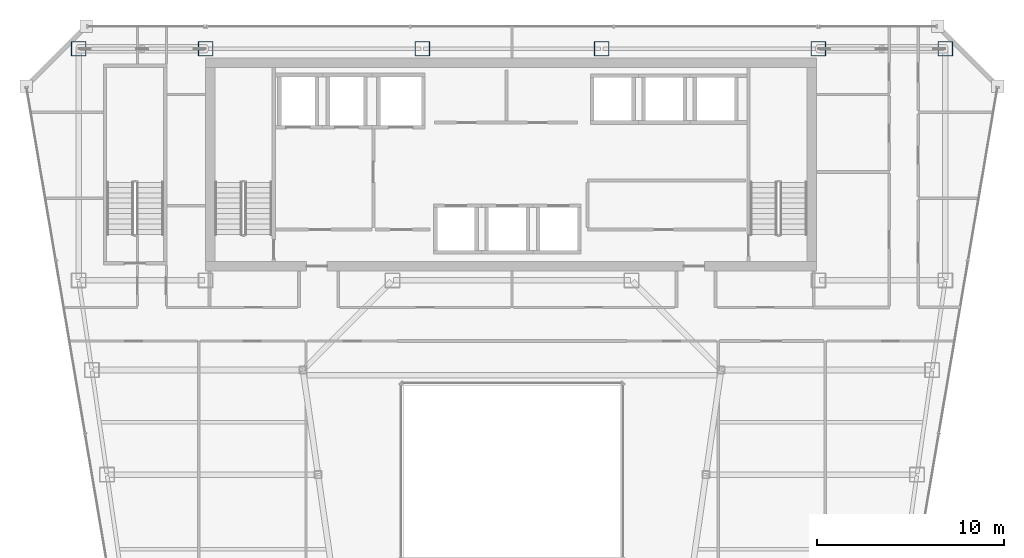
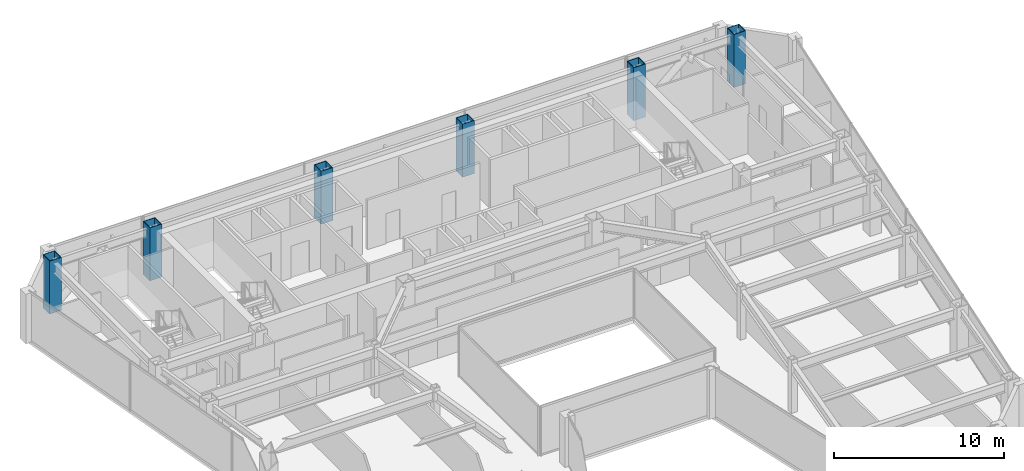
# One storey, part 2 of 36: 6 columns.
"""IFC4 building model written with IfcOpenShell, lengths in metres."""

import ifcopenshell
import ifcopenshell.guid

model = None  # the IFC model being written
_history = None  # IfcOwnerHistory: only IFC2X3 demands one
_inside = {}  # id of a spatial element -> (the spatial element, [elements in it])
_under = {}  # id of a project, library or spatial element -> (it, [spatial elements below it])
_declared = {}  # id of a project -> (the project, [libraries it declares])
_typed = {}  # id of a type object -> (the type object, [elements of that type])
_made_of = {}  # id of a material, layer set ... -> (it, [elements and type objects made of it])


def new_model(schema):
    """Start an empty IFC model of exactly this schema.

    Asked for "IFC4X3", IfcOpenShell would pick the latest addendum, in which some entities
    have other attributes; the version numbers below select the first issue.
    IFC2X3 requires an IfcOwnerHistory on every rooted entity: one is made here for all.
    """
    global model, _history
    if schema == "IFC4X3":
        model = ifcopenshell.file(schema_version=(4, 3, 0, 0))
    else:
        model = ifcopenshell.file(schema=schema)
    _inside.clear()
    _under.clear()
    _declared.clear()
    _typed.clear()
    _made_of.clear()
    _history = None
    if model.schema == "IFC2X3":
        org = make("IfcOrganization", Name="unknown")
        user = make(
            "IfcPersonAndOrganization",
            ThePerson=make("IfcPerson", FamilyName="unknown"),
            TheOrganization=org,
        )
        app = make(
            "IfcApplication",
            ApplicationDeveloper=org,
            Version="unknown",
            ApplicationFullName="unknown",
            ApplicationIdentifier="unknown",
        )
        _history = make(
            "IfcOwnerHistory",
            OwningUser=user,
            OwningApplication=app,
            ChangeAction="ADDED",
            CreationDate=0,
        )
    return model


def make(cls, **values):
    """One entity of the class cls with the attributes given. An attribute that is None is left unset."""
    return model.create_entity(
        cls, **{name: value for name, value in values.items() if value is not None}
    )


def rooted(cls, **values):
    """An entity with a GlobalId (a new one), such as an element, a storey or a relation."""
    return make(cls, GlobalId=ifcopenshell.guid.new(), OwnerHistory=_history, **values)


def si_unit(unit_type, name, prefix=None):
    """IfcSIUnit, for example si_unit("LENGTHUNIT", "METRE", prefix="MILLI")."""
    return make("IfcSIUnit", UnitType=unit_type, Prefix=prefix, Name=name)


def assignment(units):
    """IfcUnitAssignment: the units of a project."""
    return None if units is None else make("IfcUnitAssignment", Units=units)


def point(xyz):
    """IfcCartesianPoint."""
    return None if xyz is None else make("IfcCartesianPoint", Coordinates=xyz)


def direction(xyz):
    """IfcDirection."""
    return None if xyz is None else make("IfcDirection", DirectionRatios=xyz)


def frame(location, z_axis=None, x_axis=None):
    """IfcAxis2Placement3D, a coordinate frame: its origin and axes. An axis left out is left unset."""
    return make(
        "IfcAxis2Placement3D",
        Location=point(location),
        Axis=direction(z_axis),
        RefDirection=direction(x_axis),
    )


def frame_2d(location, x_axis=None):
    """IfcAxis2Placement2D, a coordinate frame in the plane: its origin and x axis."""
    return make(
        "IfcAxis2Placement2D", Location=point(location), RefDirection=direction(x_axis)
    )


def origin():
    """The frame at (0, 0, 0) with its axes left unset."""
    return frame((0.0, 0.0, 0.0))


def origin_2d():
    """The frame at (0, 0) in the plane with its x axis left unset."""
    return frame_2d((0.0, 0.0))


def place(relative_to, where):
    """IfcLocalPlacement: puts the frame where relative to a parent placement (None: the world)."""
    return make(
        "IfcLocalPlacement", PlacementRelTo=relative_to, RelativePlacement=where
    )


def context(
    kind, dimensions, precision=None, world=None, true_north=None, identifier=None
):
    """IfcGeometricRepresentationContext, for example the 3D "Model" context."""
    return make(
        "IfcGeometricRepresentationContext",
        ContextIdentifier=identifier,
        ContextType=kind,
        CoordinateSpaceDimension=dimensions,
        Precision=precision,
        WorldCoordinateSystem=world,
        TrueNorth=true_north,
    )


def subcontext(parent, identifier, kind, view, scale=None):
    """IfcGeometricRepresentationSubContext, for example "Body" below "Model"."""
    return make(
        "IfcGeometricRepresentationSubContext",
        ContextIdentifier=identifier,
        ContextType=kind,
        ParentContext=parent,
        TargetScale=scale,
        TargetView=view,
    )


def project(units=None, contexts=None):
    """IfcProject with its units and contexts."""
    return rooted(
        "IfcProject",
        Name="project",
        RepresentationContexts=contexts,
        UnitsInContext=assignment(units),
    )


def spatial(cls, under=None, at=None, **own):
    """A site, building, storey or space (cls), placed at a placement, below another one or the project."""
    s = rooted(cls, ObjectPlacement=at, **own)
    if under is not None:
        _under.setdefault(under.id(), (under, []))[1].append(s)
    return s


def profile(cls, at=None, kind="AREA", **sizes):
    """A parametric profile (cls). Its sizes go by their IFC names, for example OverallWidth=200.0."""
    return make(cls, ProfileType=kind, Position=at, **sizes)


def hollow_rectangle(**sizes):
    """IfcRectangleHollowProfileDef."""
    return profile("IfcRectangleHollowProfileDef", **sizes)


def extrude(swept, where, along, depth):
    """IfcExtrudedAreaSolid: the profile swept, set in the frame where, extruded along a direction by depth."""
    return make(
        "IfcExtrudedAreaSolid",
        SweptArea=swept,
        Position=where,
        ExtrudedDirection=direction(along),
        Depth=depth,
    )


def shape(context_of_items, identifier, shape_type, items):
    """IfcShapeRepresentation: the items that make up one representation, for example the "Body"."""
    return make(
        "IfcShapeRepresentation",
        ContextOfItems=context_of_items,
        RepresentationIdentifier=identifier,
        RepresentationType=shape_type,
        Items=items,
    )


def material(Name=None, Category=None):
    """IfcMaterial."""
    return make("IfcMaterial", Name=Name, Category=Category)


def material_profile(
    of_material, cross_section, Name=None, Category=None, Priority=None
):
    """IfcMaterialProfile: a cross section and its material."""
    return make(
        "IfcMaterialProfile",
        Name=Name,
        Material=of_material,
        Profile=cross_section,
        Priority=Priority,
        Category=Category,
    )


def profile_set(profiles, Name=None, composite=None):
    """IfcMaterialProfileSet."""
    return make(
        "IfcMaterialProfileSet",
        Name=Name,
        MaterialProfiles=profiles,
        CompositeProfile=composite,
    )


def made_of(thing, what):
    """Note that an element or type object is made of a material, layer set ...; save() writes the relation."""
    if what is not None:
        _made_of.setdefault(what.id(), (what, []))[1].append(thing)
    return thing


def type_object(cls, material=None, **own):
    """A type object (cls), such as IfcWallType, which elements share."""
    return made_of(rooted(cls, **own), material)


def element(
    cls,
    number,
    at=None,
    inside=None,
    cuts=None,
    type_object=None,
    material=None,
    context=None,
    identifier="Body",
    shape_type=None,
    held_by="IfcProductDefinitionShape",
    body=None,
    shapes=None,
    **own,
):
    """One element of the class cls, such as IfcWall. Its Tag is "e" and its number.

    at: its placement. inside: the storey or other place that contains it. cuts: it is an
    opening in that element (IfcRelVoidsElement). A single representation is given by context,
    identifier, shape_type and body (its items); several are given by shapes. held_by: the class
    of the entity that holds the representations. save() writes the other relations.
    """
    e = rooted(cls, Tag="e%d" % number, ObjectPlacement=at, **own)
    if body is not None:
        shapes = [shape(context, identifier, shape_type, body)]
    if shapes is not None:
        e.Representation = make(held_by, Representations=shapes)
    if inside is not None:
        _inside.setdefault(inside.id(), (inside, []))[1].append(e)
    if cuts is not None:
        rooted(
            "IfcRelVoidsElement", RelatingBuildingElement=cuts, RelatedOpeningElement=e
        )
    if type_object is not None:
        _typed.setdefault(type_object.id(), (type_object, []))[1].append(e)
    return made_of(e, material)


def aggregate(whole, parts):
    """IfcRelAggregates: a whole, such as a stair, and the parts it consists of."""
    return rooted("IfcRelAggregates", RelatingObject=whole, RelatedObjects=parts)


def save(model, path):
    """Write the relations noted so far, then the file.

    IfcRelAggregates (storeys below a building ...), IfcRelContainedInSpatialStructure (elements
    in a storey), IfcRelDefinesByType, IfcRelAssociatesMaterial and IfcRelDeclares: one each for
    every whole, place, type object, material and project.
    """
    for whole, parts in _under.values():
        aggregate(whole, parts)
    for where, things in _inside.values():
        rooted(
            "IfcRelContainedInSpatialStructure",
            RelatedElements=things,
            RelatingStructure=where,
        )
    for kind, things in _typed.values():
        rooted("IfcRelDefinesByType", RelatedObjects=things, RelatingType=kind)
    for what, things in _made_of.values():
        rooted("IfcRelAssociatesMaterial", RelatedObjects=things, RelatingMaterial=what)
    for by, libraries in _declared.values():
        rooted("IfcRelDeclares", RelatingContext=by, RelatedDefinitions=libraries)
    model.write(path)


model = new_model("IFC4")

# Units and contexts
model_context = context("Model", 3, precision=1e-05, world=origin(), true_north=direction((0.0, 1.0)))
body_context = subcontext(model_context, "Body", "Model", "MODEL_VIEW")
ifc_project = project(units=[si_unit("LENGTHUNIT", "METRE"), si_unit("AREAUNIT", "SQUARE_METRE"), si_unit("VOLUMEUNIT", "CUBIC_METRE"), si_unit("PLANEANGLEUNIT", "RADIAN"), si_unit("MASSUNIT", "GRAM", prefix="KILO")], contexts=[model_context])

# Site, building, storey
site_placement = place(None, origin())
site = spatial("IfcSite", under=ifc_project, at=site_placement, CompositionType="ELEMENT")
building_placement = place(site_placement, origin())
building = spatial("IfcBuilding", under=site, at=building_placement, Name="Saevonmaru Cultural Tower", CompositionType="ELEMENT")
storey_placement = place(building_placement, frame((0.0, 0.0, 182.800048828125)))
storey = spatial("IfcBuildingStorey", under=building, at=storey_placement, Name="L41", CompositionType="ELEMENT", Elevation=182.800048828125)

# Columns
ifc_material = material(Name="Steel SM420", Category="steel")
ifc_material_profile = material_profile(ifc_material, hollow_rectangle(XDim=0.800048828125, YDim=0.800048828125, WallThickness=0.035888671875, at=origin_2d()), Name="BOX-800x800x36")
ifc_profile_set = profile_set([ifc_material_profile], Name="Steel SM420")
column_type = type_object("IfcColumnType", Name="COL-BOX-800", PredefinedType="COLUMN", material=ifc_profile_set)
for number, where, z_axis, x_axis, name in (
    (1, (6.800048828125, 54.800048828125, 0.0), (0.0, 0.0, 1.0), (1.0, 0.0, 0.0), "L41 Column TC-N1N"),
    (2, (13.60009765625, 54.800048828125, 0.0), (0.0, 0.0, 1.0), (1.0, 0.0, 0.0), "L41 Column TC-N2N"),
    (3, (25.199951171875, 54.800048828125, 0.0), (0.0, 0.0, 1.0), (1.0, 0.0, 0.0), "L41 Column TC-N3N"),
    (4, (34.800048828125, 54.800048828125, 0.0), (0.0, 0.0, 1.0), (1.0, 0.0, 0.0), "L41 Column TC-N4N"),
    (5, (46.39990234375, 54.800048828125, 0.0), (0.0, 0.0, 1.0), (1.0, 0.0, 0.0), "L41 Column TC-N5N"),
    (6, (53.199951171875, 54.800048828125, 0.0), (0.0, 0.0, 1.0), (1.0, 0.0, 0.0), "L41 Column TC-N6N"),
):
    element("IfcColumn", number, at=place(storey_placement, frame(where, z_axis=z_axis, x_axis=x_axis)), inside=storey, type_object=column_type, Name=name, PredefinedType="COLUMN", context=body_context, shape_type="SweptSolid", body=[
        extrude(hollow_rectangle(XDim=0.800048828125, YDim=0.800048828125, WallThickness=0.035888671875, at=origin_2d()), origin(), (0.0, 0.0, 1.0), 3.800048828125),
    ])

save(model, "model.ifc")
